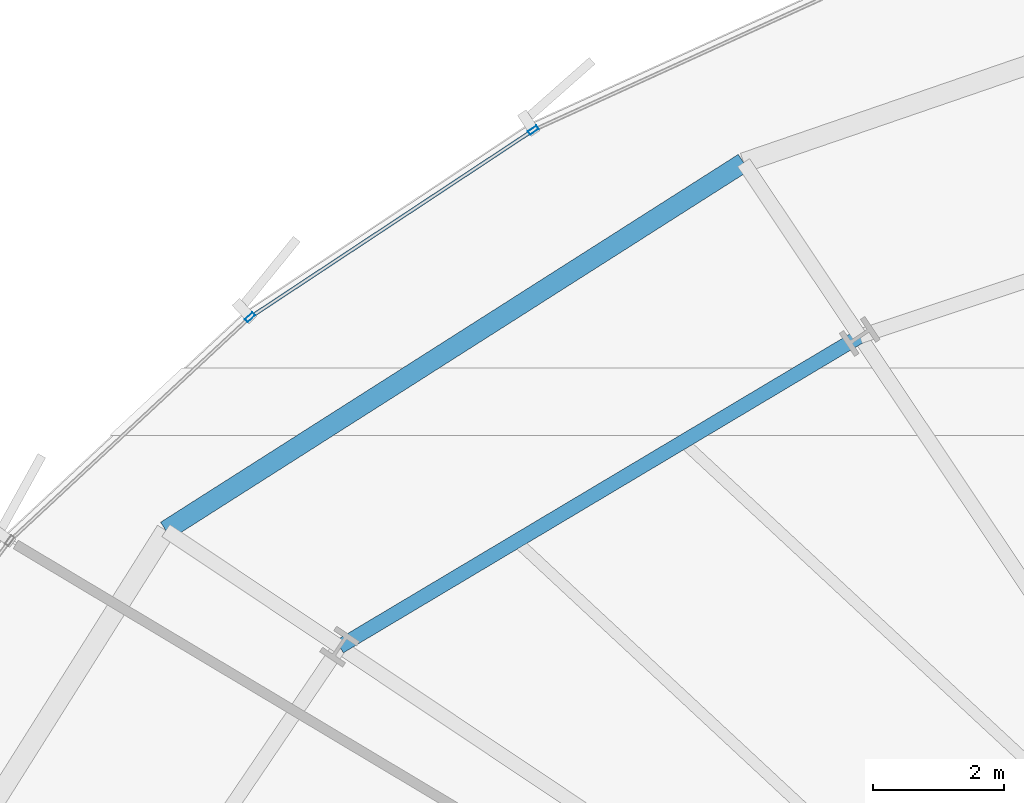
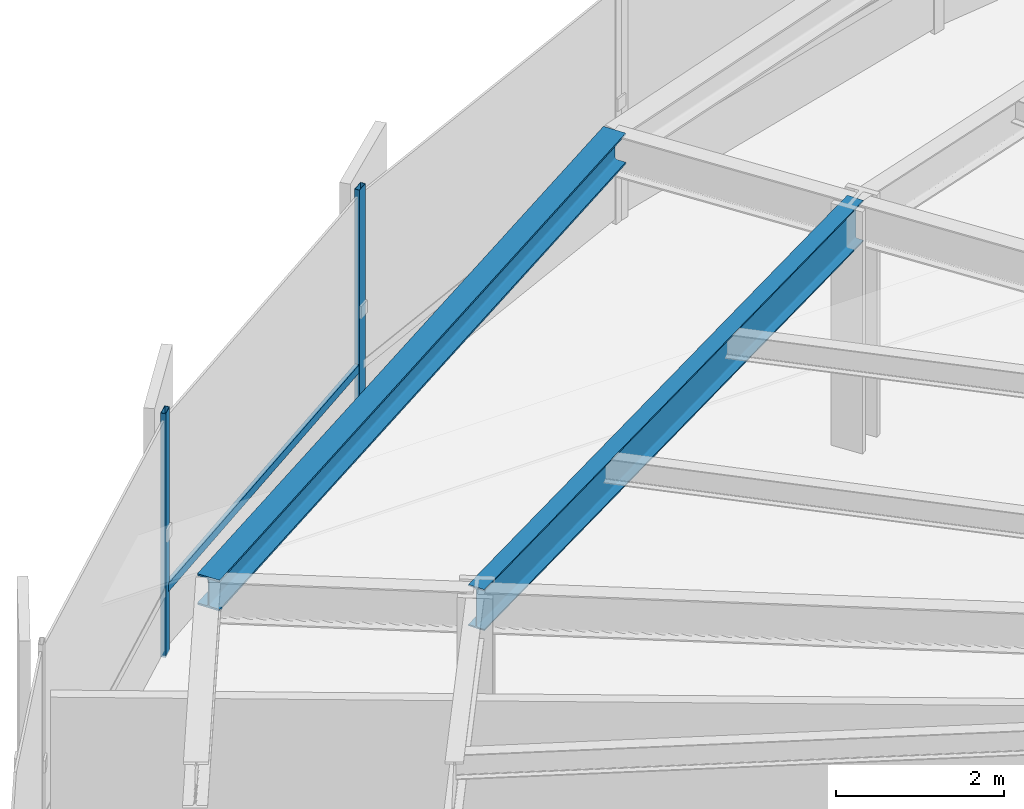
# One storey, part 19 of 39: 3 members, 2 beams, 1 element without a shape of its own.
"""IFC4 building model written with IfcOpenShell, lengths in metres."""

from ifc_helpers import new_model, si_unit, direction, frame, origin, origin_2d, place, context, subcontext, project, spatial, hollow_rectangle, i_section, extrude, source, transform, mapped, material, layer, layer_set, material_profile, profile_set, type_object, element, aggregate, save


model = new_model("IFC4")

# Units and contexts
model_context = context("Model", 3, precision=1e-05, world=origin(), true_north=direction((0.0, 1.0)))
body_context = subcontext(model_context, "Body", "Model", "MODEL_VIEW")
ifc_project = project(units=[si_unit("LENGTHUNIT", "METRE"), si_unit("AREAUNIT", "SQUARE_METRE"), si_unit("VOLUMEUNIT", "CUBIC_METRE"), si_unit("PLANEANGLEUNIT", "RADIAN"), si_unit("MASSUNIT", "GRAM", prefix="KILO"), si_unit("THERMODYNAMICTEMPERATUREUNIT", "KELVIN")], contexts=[model_context])

# Site, building, storey
site_placement = place(None, origin())
site = spatial("IfcSite", under=ifc_project, at=site_placement, CompositionType="ELEMENT")
building_placement = place(site_placement, origin())
building = spatial("IfcBuilding", under=site, at=building_placement, Name="Kethvar Cultural Tower", CompositionType="ELEMENT")
storey_placement = place(building_placement, frame((0.0, 0.0, 44.800048828125)))
storey = spatial("IfcBuildingStorey", under=building, at=storey_placement, Name="L10", CompositionType="ELEMENT", Elevation=44.800048828125)

# Beams
ifc_material_1 = material(Name="Steel S355J2", Category="steel")
ifc_material_profile_1 = material_profile(ifc_material_1, i_section(OverallWidth=0.219970703125, OverallDepth=0.60009765625, WebThickness=0.011962890625, FlangeThickness=0.01904296875, FilletRadius=0.02392578125, at=origin_2d()), Name="Steel S355J2 — IPE600")
ifc_profile_set_1 = profile_set([ifc_material_profile_1], Name="Steel S355J2 — IPE600")
beam_type_1 = type_object("IfcBeamType", Name="BM-IPE600", PredefinedType="BEAM", material=ifc_profile_set_1)
shared_shape_1 = source(origin(), body_context, "Body", "SweptSolid", [
    extrude(i_section(OverallWidth=0.219970703125, OverallDepth=0.60009765625, WebThickness=0.011962890625, FlangeThickness=0.01904296875, FilletRadius=0.02392578125, at=origin_2d()), origin(), (0.0, 0.0, 1.0), 9.270263671875),
])
beam_1_placement = place(storey_placement, frame((34.64599609375, 45.98974609375, 3.248046875), z_axis=(-0.858814626354, -0.51228647997, 0.0), x_axis=(0.51228647997, -0.858814626354, 0.0)))
element("IfcBeam", 1, at=beam_1_placement, inside=storey, type_object=beam_type_1, Name="L10 Column Ring Tie Beam CR-06", PredefinedType="BEAM", context=body_context, shape_type="MappedRepresentation", body=[
    mapped(shared_shape_1, transform((0.0, 0.0, 0.0), scale=1.0)),
])
ifc_material_profile_2 = material_profile(ifc_material_1, i_section(OverallWidth=0.300048828125, OverallDepth=0.449951171875, WebThickness=0.013916015625, FlangeThickness=0.02587890625, FilletRadius=0.027099609375, at=origin_2d()), Name="Steel S355J2 — HEB450")
ifc_profile_set_2 = profile_set([ifc_material_profile_2], Name="Steel S355J2 — HEB450")
beam_type_2 = type_object("IfcBeamType", Name="BM-SP450", PredefinedType="SPANDREL", material=ifc_profile_set_2)
shared_shape_2 = source(origin(), body_context, "Body", "SweptSolid", [
    extrude(i_section(OverallWidth=0.300048828125, OverallDepth=0.449951171875, WebThickness=0.013916015625, FlangeThickness=0.02587890625, FilletRadius=0.027099609375, at=origin_2d()), origin(), (0.0, 0.0, 1.0), 10.485107421875),
])
beam_2_placement = place(storey_placement, frame((32.8681640625, 48.650390625, 3.322998046875), z_axis=(-0.843502294633, -0.537125570932, 0.0), x_axis=(0.537125570932, -0.843502294633, 0.0)))
element("IfcBeam", 2, at=beam_2_placement, inside=storey, type_object=beam_type_2, Name="L10 Perimeter Spandrel Beam SP-06", PredefinedType="SPANDREL", context=body_context, shape_type="MappedRepresentation", body=[
    mapped(shared_shape_2, transform((0.0, 0.0, 0.0), scale=1.0)),
])

# Curtain wall, members
ifc_material_2 = material(Name="Aluminium 6063-T6", Category="aluminium")
ifc_layer = layer(ifc_material_2, 0.179931640625, Name="Aluminium 6063-T6", Category="aluminium")
ifc_layer_set = layer_set([ifc_layer], Name="Aluminium 6063-T6 (180 mm)")
curtain_wall_type = type_object("IfcCurtainWallType", Name="CW-SYS-02-Z1", PredefinedType="NOTDEFINED", material=ifc_layer_set)
curtain_wall_placement = place(storey_placement, origin())
curtain_wall = element("IfcCurtainWall", 3, at=curtain_wall_placement, inside=storey, type_object=curtain_wall_type, Name="L10 Curtain Wall Run 03", PredefinedType="NOTDEFINED")
ifc_material_profile_3 = material_profile(ifc_material_2, hollow_rectangle(XDim=0.06494140625, YDim=0.159912109375, WallThickness=0.0048828125, at=origin_2d()), Name="Aluminium 6063-T6 — RHS160x65x5")
ifc_profile_set_3 = profile_set([ifc_material_profile_3], Name="Aluminium 6063-T6 — RHS160x65x5")
member_type_1 = type_object("IfcMemberType", Name="CW-SYS-02-Z1-MUL", PredefinedType="MULLION", material=ifc_profile_set_3)
shared_shape_3 = source(origin(), body_context, "Body", "SweptSolid", [
    extrude(hollow_rectangle(XDim=0.06494140625, YDim=0.159912109375, WallThickness=0.0048828125, at=origin_2d()), origin(), (0.0, 0.0, 1.0), 3.550048828125),
])
member_1_placement = place(storey_placement, frame((29.64892578125, 49.1474609375, 0.0), z_axis=(0.0, 0.0, 1.0), x_axis=(0.551296444286, -0.834309433315, 0.0)))
member_1 = element("IfcMember", 4, at=member_1_placement, type_object=member_type_1, Name="CW-L10-R03 Mullion 2", PredefinedType="MULLION", context=body_context, shape_type="MappedRepresentation", body=[
    mapped(shared_shape_3, transform((0.0, 0.0, 0.0), scale=1.0)),
])
member_2_placement = place(storey_placement, frame((25.31396484375, 46.284912109375, 0.0), z_axis=(0.0, 0.0, 1.0), x_axis=(0.681283220742, -0.732019926734, 0.0)))
member_2 = element("IfcMember", 5, at=member_2_placement, type_object=member_type_1, Name="CW-L10-R03 Mullion 3", PredefinedType="MULLION", context=body_context, shape_type="MappedRepresentation", body=[
    mapped(shared_shape_3, transform((0.0, 0.0, 0.0), scale=1.0)),
])
ifc_material_profile_4 = material_profile(ifc_material_2, hollow_rectangle(XDim=0.054931640625, YDim=0.1201171875, WallThickness=0.00390625, at=origin_2d()), Name="Aluminium 6063-T6 — RHS120x55x4")
ifc_profile_set_4 = profile_set([ifc_material_profile_4], Name="Aluminium 6063-T6 — RHS120x55x4")
member_type_2 = type_object("IfcMemberType", Name="CW-SYS-02-Z1-TRN", PredefinedType="USERDEFINED", material=ifc_profile_set_4)
shared_shape_4 = source(origin(), body_context, "Body", "SweptSolid", [
    extrude(hollow_rectangle(XDim=0.054931640625, YDim=0.1201171875, WallThickness=0.00390625, at=origin_2d()), origin(), (0.0, 0.0, 1.0), 5.12109375),
])
member_3_placement = place(storey_placement, frame((29.60986328125, 49.12158203125, 0.949951171875), z_axis=(-0.834302428585, -0.551307044809, 0.0), x_axis=(0.551307044809, -0.834302428585, 0.0)))
member_3 = element("IfcMember", 6, at=member_3_placement, type_object=member_type_2, Name="CW-L10-R03 Transom 2", ObjectType="TRANSOM", PredefinedType="USERDEFINED", context=body_context, shape_type="MappedRepresentation", body=[
    mapped(shared_shape_4, transform((0.0, 0.0, 0.0), scale=1.0)),
])
aggregate(curtain_wall, [member_1, member_2, member_3])

save(model, "model.ifc")
